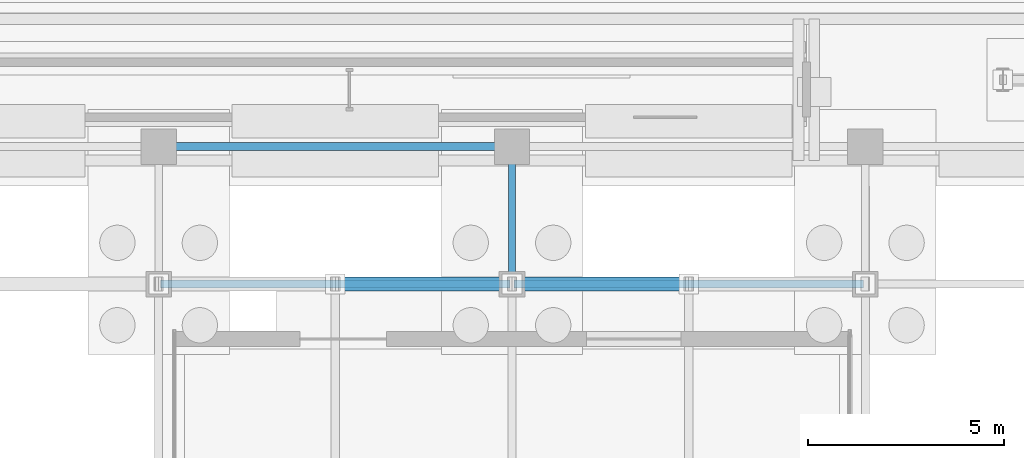
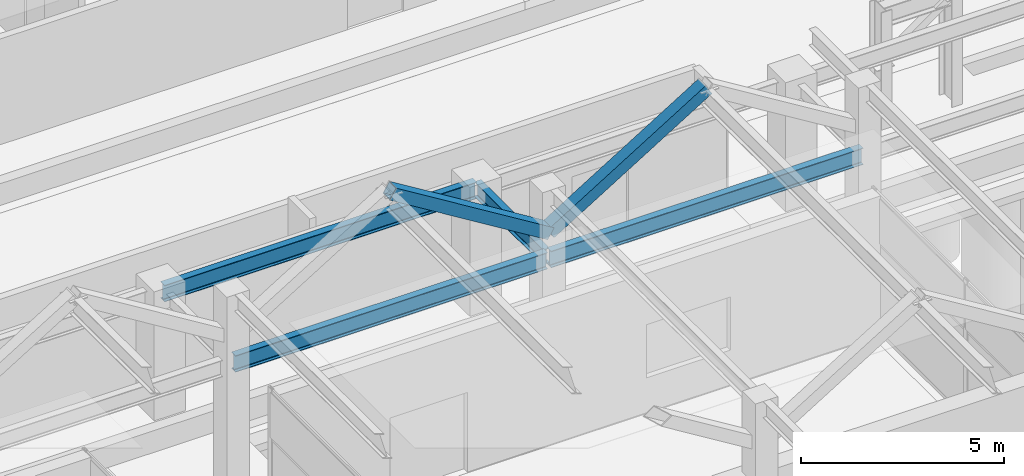
# One storey, part 61 of 160: 4 beams, 2 members.
"""IFC4 building model written with IfcOpenShell, lengths in metres."""

from ifc_helpers import new_model, si_unit, direction, frame, origin, origin_2d, place, context, subcontext, project, spatial, hollow_rectangle, i_section, extrude, material, material_profile, profile_set, type_object, element, save


model = new_model("IFC4")

# Units and contexts
model_context = context("Model", 3, precision=1e-05, world=origin(), true_north=direction((0.0, 1.0)))
body_context = subcontext(model_context, "Body", "Model", "MODEL_VIEW")
ifc_project = project(units=[si_unit("LENGTHUNIT", "METRE"), si_unit("AREAUNIT", "SQUARE_METRE"), si_unit("VOLUMEUNIT", "CUBIC_METRE"), si_unit("PLANEANGLEUNIT", "RADIAN"), si_unit("MASSUNIT", "GRAM", prefix="KILO")], contexts=[model_context])

# Site, building, storey
site_placement = place(None, origin())
site = spatial("IfcSite", under=ifc_project, at=site_placement, CompositionType="ELEMENT")
building_placement = place(site_placement, origin())
building = spatial("IfcBuilding", under=site, at=building_placement, Name="Marlcrest Central Station", CompositionType="ELEMENT")
storey_placement = place(building_placement, origin())
storey = spatial("IfcBuildingStorey", under=building, at=storey_placement, Name="L00", CompositionType="ELEMENT", Elevation=0.0)

# Beams
ifc_material = material(Name="Steel S355", Category="steel")
ifc_material_profile_1 = material_profile(ifc_material, i_section(OverallWidth=0.18994140625, OverallDepth=0.449951171875, WebThickness=0.009521484375, FlangeThickness=0.0146484375, FilletRadius=0.02099609375, at=origin_2d()), Name="IPE 450")
ifc_profile_set_1 = profile_set([ifc_material_profile_1], Name="Steel S355")
beam_type_1 = type_object("IfcBeamType", Name="BM-04", PredefinedType="BEAM", material=ifc_profile_set_1)
beam_placement = place(storey_placement, frame((54.0, 33.050048828125, 4.385009765625), z_axis=(0.0, 1.0, 0.0), x_axis=(-1.0, 0.0, 0.0)))
element("IfcBeam", 1, at=beam_placement, inside=storey, type_object=beam_type_1, Name="bm-BM-04-L00-01083", PredefinedType="BEAM", context=body_context, shape_type="SweptSolid", body=[
    extrude(i_section(OverallWidth=0.18994140625, OverallDepth=0.449951171875, WebThickness=0.009521484375, FlangeThickness=0.0146484375, FilletRadius=0.02099609375, at=origin_2d()), origin(), (0.0, 0.0, 1.0), 3.39990234375),
])
ifc_material_profile_2 = material_profile(ifc_material, i_section(OverallWidth=0.199951171875, OverallDepth=0.5, WebThickness=0.01025390625, FlangeThickness=0.01611328125, FilletRadius=0.02099609375, at=origin_2d()), Name="IPE 500")
ifc_profile_set_2 = profile_set([ifc_material_profile_2], Name="Steel S355")
beam_type_2 = type_object("IfcBeamType", Name="BM-05", PredefinedType="BEAM", material=ifc_profile_set_2)
for number, where, z_axis, x_axis, name in (
    (2, (45.050048828125, 33.0, 4.360107421875), (1.0, 0.0, 0.0), (0.0, 1.0, 0.0), "bm-BM-05-L00-01080"),
    (3, (45.050048828125, 36.5, 4.360107421875), (1.0, 0.0, 0.0), (0.0, 1.0, 0.0), "bm-BM-05-L00-01081"),
    (4, (54.050048828125, 33.0, 4.360107421875), (1.0, 0.0, 0.0), (0.0, 1.0, 0.0), "bm-BM-05-L00-01085"),
):
    element("IfcBeam", number, at=place(storey_placement, frame(where, z_axis=z_axis, x_axis=x_axis)), inside=storey, type_object=beam_type_2, Name=name, PredefinedType="BEAM", context=body_context, shape_type="SweptSolid", body=[
        extrude(i_section(OverallWidth=0.199951171875, OverallDepth=0.5, WebThickness=0.01025390625, FlangeThickness=0.01611328125, FilletRadius=0.02099609375, at=origin_2d()), origin(), (0.0, 0.0, 1.0), 8.89990234375),
    ])

# Members
ifc_material_profile_3 = material_profile(ifc_material, hollow_rectangle(XDim=0.35009765625, YDim=0.35009765625, WallThickness=0.01611328125, at=origin_2d()), Name="SHS 350x350x16")
ifc_profile_set_3 = profile_set([ifc_material_profile_3], Name="Steel S355")
member_type = type_object("IfcMemberType", Name="ST-02", PredefinedType="STRUT", material=ifc_profile_set_3)
for number, where, z_axis, x_axis, name in (
    (5, (54.0, 33.0, 5.199951171875), (-0.851591684043, 0.0, 0.524205688322), (0.0, -1.0, 0.0), "mem-ST-02-L00-00054"),
    (6, (54.0, 33.0, 5.199951171875), (0.851591684043, 0.0, 0.524205688322), (0.0, 1.0, 0.0), "mem-ST-02-L00-00059"),
):
    element("IfcMember", number, at=place(storey_placement, frame(where, z_axis=z_axis, x_axis=x_axis)), inside=storey, type_object=member_type, Name=name, PredefinedType="STRUT", context=body_context, shape_type="SweptSolid", body=[
        extrude(hollow_rectangle(XDim=0.35009765625, YDim=0.35009765625, WallThickness=0.01611328125, at=origin_2d()), origin(), (0.0, 0.0, 1.0), 5.2841796875),
    ])

save(model, "model.ifc")
